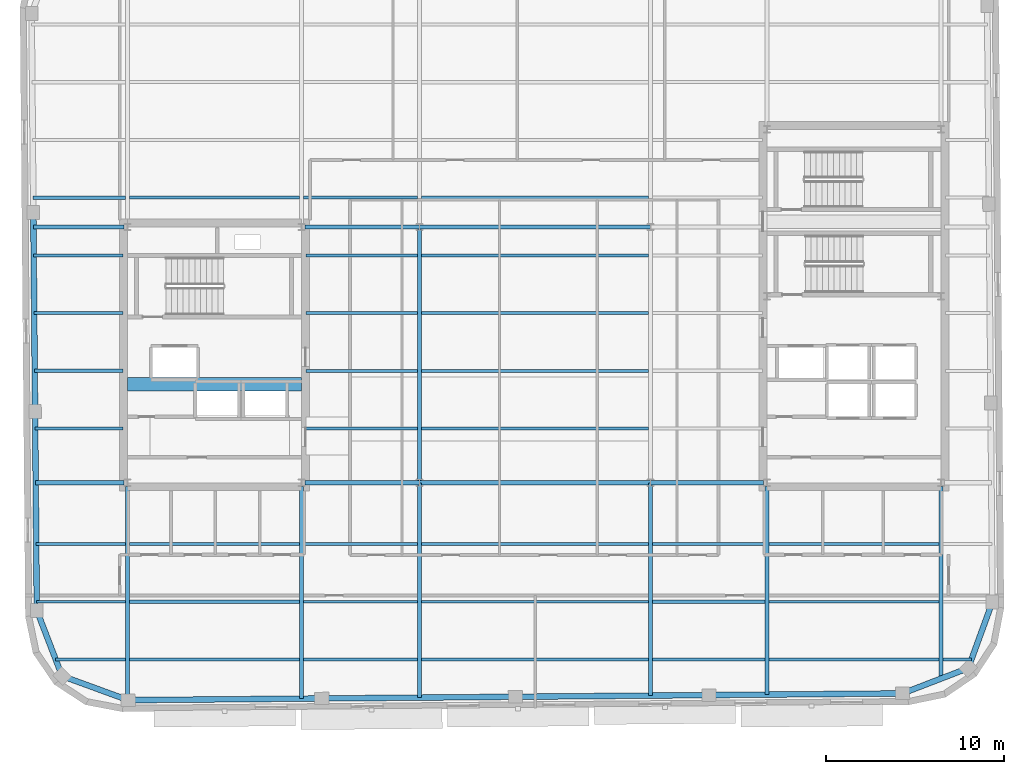
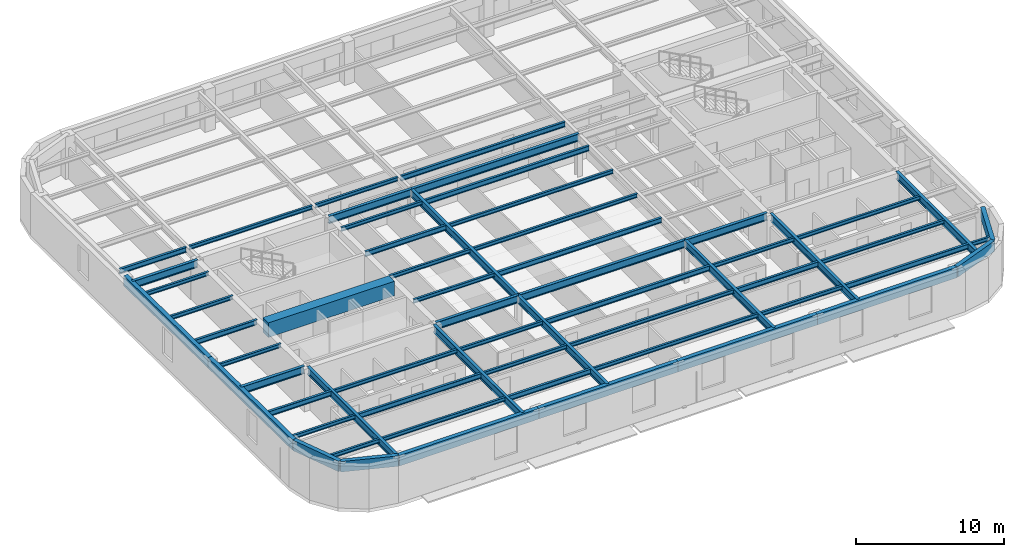
# One storey, part 4 of 14: 60 beams.
"""IFC4 building model written with IfcOpenShell, lengths in metres."""

import ifcopenshell
import ifcopenshell.guid

model = None  # the IFC model being written
_history = None  # IfcOwnerHistory: only IFC2X3 demands one
_inside = {}  # id of a spatial element -> (the spatial element, [elements in it])
_under = {}  # id of a project, library or spatial element -> (it, [spatial elements below it])
_declared = {}  # id of a project -> (the project, [libraries it declares])
_typed = {}  # id of a type object -> (the type object, [elements of that type])
_made_of = {}  # id of a material, layer set ... -> (it, [elements and type objects made of it])


def new_model(schema):
    """Start an empty IFC model of exactly this schema.

    Asked for "IFC4X3", IfcOpenShell would pick the latest addendum, in which some entities
    have other attributes; the version numbers below select the first issue.
    IFC2X3 requires an IfcOwnerHistory on every rooted entity: one is made here for all.
    """
    global model, _history
    if schema == "IFC4X3":
        model = ifcopenshell.file(schema_version=(4, 3, 0, 0))
    else:
        model = ifcopenshell.file(schema=schema)
    _inside.clear()
    _under.clear()
    _declared.clear()
    _typed.clear()
    _made_of.clear()
    _history = None
    if model.schema == "IFC2X3":
        org = make("IfcOrganization", Name="unknown")
        user = make(
            "IfcPersonAndOrganization",
            ThePerson=make("IfcPerson", FamilyName="unknown"),
            TheOrganization=org,
        )
        app = make(
            "IfcApplication",
            ApplicationDeveloper=org,
            Version="unknown",
            ApplicationFullName="unknown",
            ApplicationIdentifier="unknown",
        )
        _history = make(
            "IfcOwnerHistory",
            OwningUser=user,
            OwningApplication=app,
            ChangeAction="ADDED",
            CreationDate=0,
        )
    return model


def make(cls, **values):
    """One entity of the class cls with the attributes given. An attribute that is None is left unset."""
    return model.create_entity(
        cls, **{name: value for name, value in values.items() if value is not None}
    )


def rooted(cls, **values):
    """An entity with a GlobalId (a new one), such as an element, a storey or a relation."""
    return make(cls, GlobalId=ifcopenshell.guid.new(), OwnerHistory=_history, **values)


def si_unit(unit_type, name, prefix=None):
    """IfcSIUnit, for example si_unit("LENGTHUNIT", "METRE", prefix="MILLI")."""
    return make("IfcSIUnit", UnitType=unit_type, Prefix=prefix, Name=name)


def assignment(units):
    """IfcUnitAssignment: the units of a project."""
    return None if units is None else make("IfcUnitAssignment", Units=units)


def point(xyz):
    """IfcCartesianPoint."""
    return None if xyz is None else make("IfcCartesianPoint", Coordinates=xyz)


def direction(xyz):
    """IfcDirection."""
    return None if xyz is None else make("IfcDirection", DirectionRatios=xyz)


def frame(location, z_axis=None, x_axis=None):
    """IfcAxis2Placement3D, a coordinate frame: its origin and axes. An axis left out is left unset."""
    return make(
        "IfcAxis2Placement3D",
        Location=point(location),
        Axis=direction(z_axis),
        RefDirection=direction(x_axis),
    )


def frame_2d(location, x_axis=None):
    """IfcAxis2Placement2D, a coordinate frame in the plane: its origin and x axis."""
    return make(
        "IfcAxis2Placement2D", Location=point(location), RefDirection=direction(x_axis)
    )


def origin():
    """The frame at (0, 0, 0) with its axes left unset."""
    return frame((0.0, 0.0, 0.0))


def origin_2d():
    """The frame at (0, 0) in the plane with its x axis left unset."""
    return frame_2d((0.0, 0.0))


def place(relative_to, where):
    """IfcLocalPlacement: puts the frame where relative to a parent placement (None: the world)."""
    return make(
        "IfcLocalPlacement", PlacementRelTo=relative_to, RelativePlacement=where
    )


def context(
    kind, dimensions, precision=None, world=None, true_north=None, identifier=None
):
    """IfcGeometricRepresentationContext, for example the 3D "Model" context."""
    return make(
        "IfcGeometricRepresentationContext",
        ContextIdentifier=identifier,
        ContextType=kind,
        CoordinateSpaceDimension=dimensions,
        Precision=precision,
        WorldCoordinateSystem=world,
        TrueNorth=true_north,
    )


def subcontext(parent, identifier, kind, view, scale=None):
    """IfcGeometricRepresentationSubContext, for example "Body" below "Model"."""
    return make(
        "IfcGeometricRepresentationSubContext",
        ContextIdentifier=identifier,
        ContextType=kind,
        ParentContext=parent,
        TargetScale=scale,
        TargetView=view,
    )


def project(units=None, contexts=None):
    """IfcProject with its units and contexts."""
    return rooted(
        "IfcProject",
        Name="project",
        RepresentationContexts=contexts,
        UnitsInContext=assignment(units),
    )


def spatial(cls, under=None, at=None, **own):
    """A site, building, storey or space (cls), placed at a placement, below another one or the project."""
    s = rooted(cls, ObjectPlacement=at, **own)
    if under is not None:
        _under.setdefault(under.id(), (under, []))[1].append(s)
    return s


def profile(cls, at=None, kind="AREA", **sizes):
    """A parametric profile (cls). Its sizes go by their IFC names, for example OverallWidth=200.0."""
    return make(cls, ProfileType=kind, Position=at, **sizes)


def rectangle(**sizes):
    """IfcRectangleProfileDef."""
    return profile("IfcRectangleProfileDef", **sizes)


def hollow_rectangle(**sizes):
    """IfcRectangleHollowProfileDef."""
    return profile("IfcRectangleHollowProfileDef", **sizes)


def i_section(**sizes):
    """IfcIShapeProfileDef."""
    return profile("IfcIShapeProfileDef", **sizes)


def extrude(swept, where, along, depth):
    """IfcExtrudedAreaSolid: the profile swept, set in the frame where, extruded along a direction by depth."""
    return make(
        "IfcExtrudedAreaSolid",
        SweptArea=swept,
        Position=where,
        ExtrudedDirection=direction(along),
        Depth=depth,
    )


def shape(context_of_items, identifier, shape_type, items):
    """IfcShapeRepresentation: the items that make up one representation, for example the "Body"."""
    return make(
        "IfcShapeRepresentation",
        ContextOfItems=context_of_items,
        RepresentationIdentifier=identifier,
        RepresentationType=shape_type,
        Items=items,
    )


def material(Name=None, Category=None):
    """IfcMaterial."""
    return make("IfcMaterial", Name=Name, Category=Category)


def material_profile(
    of_material, cross_section, Name=None, Category=None, Priority=None
):
    """IfcMaterialProfile: a cross section and its material."""
    return make(
        "IfcMaterialProfile",
        Name=Name,
        Material=of_material,
        Profile=cross_section,
        Priority=Priority,
        Category=Category,
    )


def profile_set(profiles, Name=None, composite=None):
    """IfcMaterialProfileSet."""
    return make(
        "IfcMaterialProfileSet",
        Name=Name,
        MaterialProfiles=profiles,
        CompositeProfile=composite,
    )


def made_of(thing, what):
    """Note that an element or type object is made of a material, layer set ...; save() writes the relation."""
    if what is not None:
        _made_of.setdefault(what.id(), (what, []))[1].append(thing)
    return thing


def type_object(cls, material=None, **own):
    """A type object (cls), such as IfcWallType, which elements share."""
    return made_of(rooted(cls, **own), material)


def element(
    cls,
    number,
    at=None,
    inside=None,
    cuts=None,
    type_object=None,
    material=None,
    context=None,
    identifier="Body",
    shape_type=None,
    held_by="IfcProductDefinitionShape",
    body=None,
    shapes=None,
    **own,
):
    """One element of the class cls, such as IfcWall. Its Tag is "e" and its number.

    at: its placement. inside: the storey or other place that contains it. cuts: it is an
    opening in that element (IfcRelVoidsElement). A single representation is given by context,
    identifier, shape_type and body (its items); several are given by shapes. held_by: the class
    of the entity that holds the representations. save() writes the other relations.
    """
    e = rooted(cls, Tag="e%d" % number, ObjectPlacement=at, **own)
    if body is not None:
        shapes = [shape(context, identifier, shape_type, body)]
    if shapes is not None:
        e.Representation = make(held_by, Representations=shapes)
    if inside is not None:
        _inside.setdefault(inside.id(), (inside, []))[1].append(e)
    if cuts is not None:
        rooted(
            "IfcRelVoidsElement", RelatingBuildingElement=cuts, RelatedOpeningElement=e
        )
    if type_object is not None:
        _typed.setdefault(type_object.id(), (type_object, []))[1].append(e)
    return made_of(e, material)


def aggregate(whole, parts):
    """IfcRelAggregates: a whole, such as a stair, and the parts it consists of."""
    return rooted("IfcRelAggregates", RelatingObject=whole, RelatedObjects=parts)


def save(model, path):
    """Write the relations noted so far, then the file.

    IfcRelAggregates (storeys below a building ...), IfcRelContainedInSpatialStructure (elements
    in a storey), IfcRelDefinesByType, IfcRelAssociatesMaterial and IfcRelDeclares: one each for
    every whole, place, type object, material and project.
    """
    for whole, parts in _under.values():
        aggregate(whole, parts)
    for where, things in _inside.values():
        rooted(
            "IfcRelContainedInSpatialStructure",
            RelatedElements=things,
            RelatingStructure=where,
        )
    for kind, things in _typed.values():
        rooted("IfcRelDefinesByType", RelatedObjects=things, RelatingType=kind)
    for what, things in _made_of.values():
        rooted("IfcRelAssociatesMaterial", RelatedObjects=things, RelatingMaterial=what)
    for by, libraries in _declared.values():
        rooted("IfcRelDeclares", RelatingContext=by, RelatedDefinitions=libraries)
    model.write(path)


model = new_model("IFC4")

# Units and contexts
model_context = context("Model", 3, precision=1e-05, world=origin(), true_north=direction((0.0, 1.0)))
body_context = subcontext(model_context, "Body", "Model", "MODEL_VIEW")
ifc_project = project(units=[si_unit("LENGTHUNIT", "METRE"), si_unit("AREAUNIT", "SQUARE_METRE"), si_unit("VOLUMEUNIT", "CUBIC_METRE"), si_unit("PLANEANGLEUNIT", "RADIAN"), si_unit("MASSUNIT", "GRAM", prefix="KILO")], contexts=[model_context])

# Site, building, storey
site_placement = place(None, origin())
site = spatial("IfcSite", under=ifc_project, at=site_placement, CompositionType="ELEMENT")
building_placement = place(site_placement, origin())
building = spatial("IfcBuilding", under=site, at=building_placement, Name="Kolvaren Arena Tower", CompositionType="ELEMENT")
storey_placement = place(building_placement, frame((0.0, 0.0, 297.39990234375)))
storey = spatial("IfcBuildingStorey", under=building, at=storey_placement, Name="L73", CompositionType="ELEMENT", Elevation=297.39990234375)

# Beams
ifc_material_1 = material(Name="Steel CSA G40.21 350W", Category="steel")
ifc_material_profile_1 = material_profile(ifc_material_1, i_section(OverallWidth=0.180908203125, OverallDepth=0.4169921875, WebThickness=0.010986328125, FlangeThickness=0.018310546875, FilletRadius=0.011962890625, at=origin_2d()), Name="W410x85")
ifc_profile_set_1 = profile_set([ifc_material_profile_1], Name="Steel CSA G40.21 350W")
beam_type_1 = type_object("IfcBeamType", Name="BEAM-F3", PredefinedType="BEAM", material=ifc_profile_set_1)
beam_1_placement = place(storey_placement, frame((24.464111328125, 9.5, 3.271484375), z_axis=(1.0, 0.0, 0.0), x_axis=(0.0, 1.0, 0.0)))
element("IfcBeam", 1, at=beam_1_placement, inside=storey, type_object=beam_type_1, Name="Composite Floor Beam (L73)", PredefinedType="BEAM", context=body_context, shape_type="SweptSolid", body=[
    extrude(i_section(OverallWidth=0.180908203125, OverallDepth=0.4169921875, WebThickness=0.010986328125, FlangeThickness=0.018310546875, FilletRadius=0.011962890625, at=origin_2d()), origin(), (0.0, 0.0, 1.0), 6.421875),
])
for number, where, z_axis, x_axis, name in (
    (2, (50.6640625, 9.5, 3.271484375), (1.0, 0.0, 0.0), (0.0, 1.0, 0.0), "Composite Floor Beam (L73)"),
    (3, (14.6640625, 12.75, 3.271484375), (1.0, 0.0, 0.0), (0.0, 1.0, 0.0), "Composite Floor Beam (L73)"),
):
    element("IfcBeam", number, at=place(storey_placement, frame(where, z_axis=z_axis, x_axis=x_axis)), inside=storey, type_object=beam_type_1, Name=name, PredefinedType="BEAM", context=body_context, shape_type="SweptSolid", body=[
        extrude(i_section(OverallWidth=0.180908203125, OverallDepth=0.4169921875, WebThickness=0.010986328125, FlangeThickness=0.018310546875, FilletRadius=0.011962890625, at=origin_2d()), origin(), (0.0, 0.0, 1.0), 9.572021484375),
    ])
beam_2_placement = place(storey_placement, frame((44.114013671875, 12.75, 3.271484375), z_axis=(1.0, 0.0, 0.0), x_axis=(0.0, 1.0, 0.0)))
element("IfcBeam", 4, at=beam_2_placement, inside=storey, type_object=beam_type_1, Name="Composite Floor Beam (L73)", PredefinedType="BEAM", context=body_context, shape_type="SweptSolid", body=[
    extrude(i_section(OverallWidth=0.180908203125, OverallDepth=0.4169921875, WebThickness=0.010986328125, FlangeThickness=0.018310546875, FilletRadius=0.011962890625, at=origin_2d()), origin(), (0.0, 0.0, 1.0), 6.322021484375),
])
beam_3_placement = place(storey_placement, frame((9.4150390625, 16.0, 3.271484375), z_axis=(1.0, 0.0, 0.0), x_axis=(0.0, 1.0, 0.0)))
element("IfcBeam", 5, at=beam_3_placement, inside=storey, type_object=beam_type_1, Name="Composite Floor Beam (L73)", PredefinedType="BEAM", context=body_context, shape_type="SweptSolid", body=[
    extrude(i_section(OverallWidth=0.180908203125, OverallDepth=0.4169921875, WebThickness=0.010986328125, FlangeThickness=0.018310546875, FilletRadius=0.011962890625, at=origin_2d()), origin(), (0.0, 0.0, 1.0), 5.02099609375),
])
for number, where, z_axis, x_axis, name in (
    (6, (31.114013671875, 16.0, 3.271484375), (1.0, 0.0, 0.0), (0.0, 1.0, 0.0), "Composite Floor Beam (L73)"),
    (7, (31.114013671875, 22.5, 3.271484375), (1.0, 0.0, 0.0), (0.0, 1.0, 0.0), "Composite Floor Beam (L73)"),
):
    element("IfcBeam", number, at=place(storey_placement, frame(where, z_axis=z_axis, x_axis=x_axis)), inside=storey, type_object=beam_type_1, Name=name, PredefinedType="BEAM", context=body_context, shape_type="SweptSolid", body=[
        extrude(i_section(OverallWidth=0.180908203125, OverallDepth=0.4169921875, WebThickness=0.010986328125, FlangeThickness=0.018310546875, FilletRadius=0.011962890625, at=origin_2d()), origin(), (0.0, 0.0, 1.0), 12.77197265625),
    ])
beam_4_placement = place(storey_placement, frame((9.330078125, 25.75, 3.271484375), z_axis=(1.0, 0.0, 0.0), x_axis=(0.0, 1.0, 0.0)))
element("IfcBeam", 8, at=beam_4_placement, inside=storey, type_object=beam_type_1, Name="Composite Floor Beam (L73)", PredefinedType="BEAM", context=body_context, shape_type="SweptSolid", body=[
    extrude(i_section(OverallWidth=0.180908203125, OverallDepth=0.4169921875, WebThickness=0.010986328125, FlangeThickness=0.018310546875, FilletRadius=0.011962890625, at=origin_2d()), origin(), (0.0, 0.0, 1.0), 4.974853515625),
])
beam_5_placement = place(storey_placement, frame((24.594970703125, 29.0, 3.271484375), z_axis=(1.0, 0.0, 0.0), x_axis=(0.0, 1.0, 0.0)))
element("IfcBeam", 9, at=beam_5_placement, inside=storey, type_object=beam_type_1, Name="Composite Floor Beam (L73)", PredefinedType="BEAM", context=body_context, shape_type="SweptSolid", body=[
    extrude(i_section(OverallWidth=0.180908203125, OverallDepth=0.4169921875, WebThickness=0.010986328125, FlangeThickness=0.018310546875, FilletRadius=0.011962890625, at=origin_2d()), origin(), (0.0, 0.0, 1.0), 6.291015625),
])
beam_6_placement = place(storey_placement, frame((31.114013671875, 32.25, 3.271484375), z_axis=(1.0, 0.0, 0.0), x_axis=(0.0, 1.0, 0.0)))
element("IfcBeam", 10, at=beam_6_placement, inside=storey, type_object=beam_type_1, Name="Composite Floor Beam (L73)", PredefinedType="BEAM", context=body_context, shape_type="SweptSolid", body=[
    extrude(i_section(OverallWidth=0.180908203125, OverallDepth=0.4169921875, WebThickness=0.010986328125, FlangeThickness=0.018310546875, FilletRadius=0.011962890625, at=origin_2d()), origin(), (0.0, 0.0, 1.0), 12.77197265625),
])
beam_7_placement = place(storey_placement, frame((9.244873046875, 35.5, 3.271484375), z_axis=(1.0, 0.0, 0.0), x_axis=(0.0, 1.0, 0.0)))
element("IfcBeam", 11, at=beam_7_placement, inside=storey, type_object=beam_type_1, Name="Composite Floor Beam (L73)", PredefinedType="BEAM", context=body_context, shape_type="SweptSolid", body=[
    extrude(i_section(OverallWidth=0.180908203125, OverallDepth=0.4169921875, WebThickness=0.010986328125, FlangeThickness=0.018310546875, FilletRadius=0.011962890625, at=origin_2d()), origin(), (0.0, 0.0, 1.0), 5.191162109375),
])
beam_8_placement = place(storey_placement, frame((31.114013671875, 35.5, 3.271484375), z_axis=(1.0, 0.0, 0.0), x_axis=(0.0, 1.0, 0.0)))
element("IfcBeam", 12, at=beam_8_placement, inside=storey, type_object=beam_type_1, Name="Composite Floor Beam (L73)", PredefinedType="BEAM", context=body_context, shape_type="SweptSolid", body=[
    extrude(i_section(OverallWidth=0.180908203125, OverallDepth=0.4169921875, WebThickness=0.010986328125, FlangeThickness=0.018310546875, FilletRadius=0.011962890625, at=origin_2d()), origin(), (0.0, 0.0, 1.0), 12.77197265625),
])
ifc_material_2 = material(Name="Concrete 60 MPa", Category="concrete")
ifc_material_profile_2 = material_profile(ifc_material_2, rectangle(XDim=0.75, YDim=1.199951171875, at=origin_2d()), Name="RC-750x1200")
ifc_profile_set_2 = profile_set([ifc_material_profile_2], Name="Concrete 60 MPa")
beam_type_2 = type_object("IfcBeamType", Name="CB-CORE-2", PredefinedType="BEAM", material=ifc_profile_set_2)
beam_9_placement = place(storey_placement, frame((14.550048828125, 25.0, 3.150146484375), z_axis=(1.0, 0.0, 0.0), x_axis=(0.0, 1.0, 0.0)))
element("IfcBeam", 13, at=beam_9_placement, inside=storey, type_object=beam_type_2, Name="West Core Coupling Beam (L73)", PredefinedType="BEAM", context=body_context, shape_type="SweptSolid", body=[
    extrude(rectangle(XDim=0.75, YDim=1.199951171875, at=origin_2d()), origin(), (0.0, 0.0, 1.0), 9.800048828125),
])
ifc_material_profile_3 = material_profile(ifc_material_1, i_section(OverallWidth=0.22802734375, OverallDepth=0.615966796875, WebThickness=0.013916015625, FlangeThickness=0.02490234375, FilletRadius=0.014892578125, at=origin_2d()), Name="W610x174")
ifc_profile_set_3 = profile_set([ifc_material_profile_3], Name="Steel CSA G40.21 350W")
beam_type_3 = type_object("IfcBeamType", Name="GIRD-T3", PredefinedType="BEAM", material=ifc_profile_set_3)
beam_10_placement = place(storey_placement, frame((9.385009765625, 19.449951171875, 3.172119140625), z_axis=(1.0, 0.0, 0.0), x_axis=(0.0, 1.0, 0.0)))
element("IfcBeam", 14, at=beam_10_placement, inside=storey, type_object=beam_type_3, Name="Primary Floor Girder (L73)", PredefinedType="BEAM", context=body_context, shape_type="SweptSolid", body=[
    extrude(i_section(OverallWidth=0.22802734375, OverallDepth=0.615966796875, WebThickness=0.013916015625, FlangeThickness=0.02490234375, FilletRadius=0.014892578125, at=origin_2d()), origin(), (0.0, 0.0, 1.0), 4.9599609375),
])
beam_11_placement = place(storey_placement, frame((24.554931640625, 19.449951171875, 3.172119140625), z_axis=(1.0, 0.0, 0.0), x_axis=(0.0, 1.0, 0.0)))
element("IfcBeam", 15, at=beam_11_placement, inside=storey, type_object=beam_type_3, Name="Primary Floor Girder (L73)", PredefinedType="BEAM", context=body_context, shape_type="SweptSolid", body=[
    extrude(i_section(OverallWidth=0.22802734375, OverallDepth=0.615966796875, WebThickness=0.013916015625, FlangeThickness=0.02490234375, FilletRadius=0.014892578125, at=origin_2d()), origin(), (0.0, 0.0, 1.0), 6.445068359375),
])
beam_12_placement = place(storey_placement, frame((31.0, 19.449951171875, 3.172119140625), z_axis=(1.0, 0.0, 0.0), x_axis=(0.0, 1.0, 0.0)))
element("IfcBeam", 16, at=beam_12_placement, inside=storey, type_object=beam_type_3, Name="Primary Floor Girder (L73)", PredefinedType="BEAM", context=body_context, shape_type="SweptSolid", body=[
    extrude(i_section(OverallWidth=0.22802734375, OverallDepth=0.615966796875, WebThickness=0.013916015625, FlangeThickness=0.02490234375, FilletRadius=0.014892578125, at=origin_2d()), origin(), (0.0, 0.0, 1.0), 13.0),
])
beam_13_placement = place(storey_placement, frame((44.0, 19.449951171875, 3.172119140625), z_axis=(1.0, 0.0, 0.0), x_axis=(0.0, 1.0, 0.0)))
element("IfcBeam", 17, at=beam_13_placement, inside=storey, type_object=beam_type_3, Name="Primary Floor Girder (L73)", PredefinedType="BEAM", context=body_context, shape_type="SweptSolid", body=[
    extrude(i_section(OverallWidth=0.22802734375, OverallDepth=0.615966796875, WebThickness=0.013916015625, FlangeThickness=0.02490234375, FilletRadius=0.014892578125, at=origin_2d()), origin(), (0.0, 0.0, 1.0), 6.344970703125),
])
beam_14_placement = place(storey_placement, frame((9.25927734375, 33.85009765625, 3.172119140625), z_axis=(1.0, 0.0, 0.0), x_axis=(0.0, 1.0, 0.0)))
element("IfcBeam", 18, at=beam_14_placement, inside=storey, type_object=beam_type_3, Name="Primary Floor Girder (L73)", PredefinedType="BEAM", context=body_context, shape_type="SweptSolid", body=[
    extrude(i_section(OverallWidth=0.22802734375, OverallDepth=0.615966796875, WebThickness=0.013916015625, FlangeThickness=0.02490234375, FilletRadius=0.014892578125, at=origin_2d()), origin(), (0.0, 0.0, 1.0), 5.085693359375),
])
beam_15_placement = place(storey_placement, frame((24.554931640625, 33.85009765625, 3.172119140625), z_axis=(1.0, 0.0, 0.0), x_axis=(0.0, 1.0, 0.0)))
element("IfcBeam", 19, at=beam_15_placement, inside=storey, type_object=beam_type_3, Name="Primary Floor Girder (L73)", PredefinedType="BEAM", context=body_context, shape_type="SweptSolid", body=[
    extrude(i_section(OverallWidth=0.22802734375, OverallDepth=0.615966796875, WebThickness=0.013916015625, FlangeThickness=0.02490234375, FilletRadius=0.014892578125, at=origin_2d()), origin(), (0.0, 0.0, 1.0), 6.445068359375),
])
beam_16_placement = place(storey_placement, frame((31.0, 33.85009765625, 3.172119140625), z_axis=(1.0, 0.0, 0.0), x_axis=(0.0, 1.0, 0.0)))
element("IfcBeam", 20, at=beam_16_placement, inside=storey, type_object=beam_type_3, Name="Primary Floor Girder (L73)", PredefinedType="BEAM", context=body_context, shape_type="SweptSolid", body=[
    extrude(i_section(OverallWidth=0.22802734375, OverallDepth=0.615966796875, WebThickness=0.013916015625, FlangeThickness=0.02490234375, FilletRadius=0.014892578125, at=origin_2d()), origin(), (0.0, 0.0, 1.0), 13.0),
])
beam_17_placement = place(storey_placement, frame((14.550048828125, 7.225830078125, 3.172119140625), z_axis=(0.0, 1.0, 0.0), x_axis=(-1.0, 0.0, 0.0)))
element("IfcBeam", 21, at=beam_17_placement, inside=storey, type_object=beam_type_3, Name="Primary Floor Girder (L73)", PredefinedType="BEAM", context=body_context, shape_type="SweptSolid", body=[
    extrude(i_section(OverallWidth=0.22802734375, OverallDepth=0.615966796875, WebThickness=0.013916015625, FlangeThickness=0.02490234375, FilletRadius=0.014892578125, at=origin_2d()), origin(), (0.0, 0.0, 1.0), 12.019287109375),
])
beam_18_placement = place(storey_placement, frame((24.35009765625, 7.295654296875, 3.172119140625), z_axis=(0.0, 1.0, 0.0), x_axis=(-1.0, 0.0, 0.0)))
element("IfcBeam", 22, at=beam_18_placement, inside=storey, type_object=beam_type_3, Name="Primary Floor Girder (L73)", PredefinedType="BEAM", context=body_context, shape_type="SweptSolid", body=[
    extrude(i_section(OverallWidth=0.22802734375, OverallDepth=0.615966796875, WebThickness=0.013916015625, FlangeThickness=0.02490234375, FilletRadius=0.014892578125, at=origin_2d()), origin(), (0.0, 0.0, 1.0), 11.949462890625),
])
beam_19_placement = place(storey_placement, frame((31.0, 7.353759765625, 3.172119140625), z_axis=(0.0, 1.0, 0.0), x_axis=(-1.0, 0.0, 0.0)))
element("IfcBeam", 23, at=beam_19_placement, inside=storey, type_object=beam_type_3, Name="Primary Floor Girder (L73)", PredefinedType="BEAM", context=body_context, shape_type="SweptSolid", body=[
    extrude(i_section(OverallWidth=0.22802734375, OverallDepth=0.615966796875, WebThickness=0.013916015625, FlangeThickness=0.02490234375, FilletRadius=0.014892578125, at=origin_2d()), origin(), (0.0, 0.0, 1.0), 12.09619140625),
])
beam_20_placement = place(storey_placement, frame((31.0, 19.449951171875, 3.172119140625), z_axis=(0.0, 1.0, 0.0), x_axis=(-1.0, 0.0, 0.0)))
element("IfcBeam", 24, at=beam_20_placement, inside=storey, type_object=beam_type_3, Name="Primary Floor Girder (L73)", PredefinedType="BEAM", context=body_context, shape_type="SweptSolid", body=[
    extrude(i_section(OverallWidth=0.22802734375, OverallDepth=0.615966796875, WebThickness=0.013916015625, FlangeThickness=0.02490234375, FilletRadius=0.014892578125, at=origin_2d()), origin(), (0.0, 0.0, 1.0), 14.400146484375),
])
beam_21_placement = place(storey_placement, frame((44.0, 7.46728515625, 3.172119140625), z_axis=(0.0, 1.0, 0.0), x_axis=(-1.0, 0.0, 0.0)))
element("IfcBeam", 25, at=beam_21_placement, inside=storey, type_object=beam_type_3, Name="Primary Floor Girder (L73)", PredefinedType="BEAM", context=body_context, shape_type="SweptSolid", body=[
    extrude(i_section(OverallWidth=0.22802734375, OverallDepth=0.615966796875, WebThickness=0.013916015625, FlangeThickness=0.02490234375, FilletRadius=0.014892578125, at=origin_2d()), origin(), (0.0, 0.0, 1.0), 11.982666015625),
])
beam_22_placement = place(storey_placement, frame((50.550048828125, 7.5244140625, 3.172119140625), z_axis=(0.0, 1.0, 0.0), x_axis=(-1.0, 0.0, 0.0)))
element("IfcBeam", 26, at=beam_22_placement, inside=storey, type_object=beam_type_3, Name="Primary Floor Girder (L73)", PredefinedType="BEAM", context=body_context, shape_type="SweptSolid", body=[
    extrude(i_section(OverallWidth=0.22802734375, OverallDepth=0.615966796875, WebThickness=0.013916015625, FlangeThickness=0.02490234375, FilletRadius=0.014892578125, at=origin_2d()), origin(), (0.0, 0.0, 1.0), 11.720703125),
])
beam_23_placement = place(storey_placement, frame((60.35009765625, 8.4228515625, 3.172119140625), z_axis=(0.0, 1.0, 0.0), x_axis=(-1.0, 0.0, 0.0)))
element("IfcBeam", 27, at=beam_23_placement, inside=storey, type_object=beam_type_3, Name="Primary Floor Girder (L73)", PredefinedType="BEAM", context=body_context, shape_type="SweptSolid", body=[
    extrude(i_section(OverallWidth=0.22802734375, OverallDepth=0.615966796875, WebThickness=0.013916015625, FlangeThickness=0.02490234375, FilletRadius=0.014892578125, at=origin_2d()), origin(), (0.0, 0.0, 1.0), 10.822265625),
])
ifc_material_profile_4 = material_profile(ifc_material_1, i_section(OverallWidth=0.1669921875, OverallDepth=0.31689453125, WebThickness=0.007568359375, FlangeThickness=0.01318359375, FilletRadius=0.010009765625, at=origin_2d()), Name="W310x52")
ifc_profile_set_4 = profile_set([ifc_material_profile_4], Name="Steel CSA G40.21 350W")
beam_type_4 = type_object("IfcBeamType", Name="JOIST-02", PredefinedType="JOIST", material=ifc_profile_set_4)
beam_24_placement = place(storey_placement, frame((10.5126953125, 9.5, 3.321533203125), z_axis=(1.0, 0.0, 0.0), x_axis=(0.0, 1.0, 0.0)))
element("IfcBeam", 28, at=beam_24_placement, inside=storey, type_object=beam_type_4, Name="Composite Floor Joist (L73)", PredefinedType="JOIST", context=body_context, shape_type="SweptSolid", body=[
    extrude(i_section(OverallWidth=0.1669921875, OverallDepth=0.31689453125, WebThickness=0.007568359375, FlangeThickness=0.01318359375, FilletRadius=0.010009765625, at=origin_2d()), origin(), (0.0, 0.0, 1.0), 3.92333984375),
])
beam_25_placement = place(storey_placement, frame((14.6640625, 9.5, 3.321533203125), z_axis=(1.0, 0.0, 0.0), x_axis=(0.0, 1.0, 0.0)))
element("IfcBeam", 29, at=beam_25_placement, inside=storey, type_object=beam_type_4, Name="Composite Floor Joist (L73)", PredefinedType="JOIST", context=body_context, shape_type="SweptSolid", body=[
    extrude(i_section(OverallWidth=0.1669921875, OverallDepth=0.31689453125, WebThickness=0.007568359375, FlangeThickness=0.01318359375, FilletRadius=0.010009765625, at=origin_2d()), origin(), (0.0, 0.0, 1.0), 9.572021484375),
])
beam_26_placement = place(storey_placement, frame((31.114013671875, 9.5, 3.321533203125), z_axis=(1.0, 0.0, 0.0), x_axis=(0.0, 1.0, 0.0)))
element("IfcBeam", 30, at=beam_26_placement, inside=storey, type_object=beam_type_4, Name="Composite Floor Joist (L73)", PredefinedType="JOIST", context=body_context, shape_type="SweptSolid", body=[
    extrude(i_section(OverallWidth=0.1669921875, OverallDepth=0.31689453125, WebThickness=0.007568359375, FlangeThickness=0.01318359375, FilletRadius=0.010009765625, at=origin_2d()), origin(), (0.0, 0.0, 1.0), 12.77197265625),
])
beam_27_placement = place(storey_placement, frame((44.114013671875, 9.5, 3.321533203125), z_axis=(1.0, 0.0, 0.0), x_axis=(0.0, 1.0, 0.0)))
element("IfcBeam", 31, at=beam_27_placement, inside=storey, type_object=beam_type_4, Name="Composite Floor Joist (L73)", PredefinedType="JOIST", context=body_context, shape_type="SweptSolid", body=[
    extrude(i_section(OverallWidth=0.1669921875, OverallDepth=0.31689453125, WebThickness=0.007568359375, FlangeThickness=0.01318359375, FilletRadius=0.010009765625, at=origin_2d()), origin(), (0.0, 0.0, 1.0), 6.322021484375),
])
beam_28_placement = place(storey_placement, frame((60.464111328125, 9.5, 3.321533203125), z_axis=(1.0, 0.0, 0.0), x_axis=(0.0, 1.0, 0.0)))
element("IfcBeam", 32, at=beam_28_placement, inside=storey, type_object=beam_type_4, Name="Composite Floor Joist (L73)", PredefinedType="JOIST", context=body_context, shape_type="SweptSolid", body=[
    extrude(i_section(OverallWidth=0.1669921875, OverallDepth=0.31689453125, WebThickness=0.007568359375, FlangeThickness=0.01318359375, FilletRadius=0.010009765625, at=origin_2d()), origin(), (0.0, 0.0, 1.0), 1.60009765625),
])
beam_29_placement = place(storey_placement, frame((9.443359375, 12.75, 3.321533203125), z_axis=(1.0, 0.0, 0.0), x_axis=(0.0, 1.0, 0.0)))
element("IfcBeam", 33, at=beam_29_placement, inside=storey, type_object=beam_type_4, Name="Composite Floor Joist (L73)", PredefinedType="JOIST", context=body_context, shape_type="SweptSolid", body=[
    extrude(i_section(OverallWidth=0.1669921875, OverallDepth=0.31689453125, WebThickness=0.007568359375, FlangeThickness=0.01318359375, FilletRadius=0.010009765625, at=origin_2d()), origin(), (0.0, 0.0, 1.0), 4.99267578125),
])
beam_30_placement = place(storey_placement, frame((24.464111328125, 12.75, 3.321533203125), z_axis=(1.0, 0.0, 0.0), x_axis=(0.0, 1.0, 0.0)))
element("IfcBeam", 34, at=beam_30_placement, inside=storey, type_object=beam_type_4, Name="Composite Floor Joist (L73)", PredefinedType="JOIST", context=body_context, shape_type="SweptSolid", body=[
    extrude(i_section(OverallWidth=0.1669921875, OverallDepth=0.31689453125, WebThickness=0.007568359375, FlangeThickness=0.01318359375, FilletRadius=0.010009765625, at=origin_2d()), origin(), (0.0, 0.0, 1.0), 6.421875),
])
beam_31_placement = place(storey_placement, frame((31.114013671875, 12.75, 3.321533203125), z_axis=(1.0, 0.0, 0.0), x_axis=(0.0, 1.0, 0.0)))
element("IfcBeam", 35, at=beam_31_placement, inside=storey, type_object=beam_type_4, Name="Composite Floor Joist (L73)", PredefinedType="JOIST", context=body_context, shape_type="SweptSolid", body=[
    extrude(i_section(OverallWidth=0.1669921875, OverallDepth=0.31689453125, WebThickness=0.007568359375, FlangeThickness=0.01318359375, FilletRadius=0.010009765625, at=origin_2d()), origin(), (0.0, 0.0, 1.0), 12.77197265625),
])
for number, where, z_axis, x_axis, name in (
    (36, (50.6640625, 12.75, 3.321533203125), (1.0, 0.0, 0.0), (0.0, 1.0, 0.0), "Composite Floor Joist (L73)"),
    (37, (14.6640625, 16.0, 3.321533203125), (1.0, 0.0, 0.0), (0.0, 1.0, 0.0), "Composite Floor Joist (L73)"),
):
    element("IfcBeam", number, at=place(storey_placement, frame(where, z_axis=z_axis, x_axis=x_axis)), inside=storey, type_object=beam_type_4, Name=name, PredefinedType="JOIST", context=body_context, shape_type="SweptSolid", body=[
        extrude(i_section(OverallWidth=0.1669921875, OverallDepth=0.31689453125, WebThickness=0.007568359375, FlangeThickness=0.01318359375, FilletRadius=0.010009765625, at=origin_2d()), origin(), (0.0, 0.0, 1.0), 9.572021484375),
    ])
beam_32_placement = place(storey_placement, frame((24.464111328125, 16.0, 3.321533203125), z_axis=(1.0, 0.0, 0.0), x_axis=(0.0, 1.0, 0.0)))
element("IfcBeam", 38, at=beam_32_placement, inside=storey, type_object=beam_type_4, Name="Composite Floor Joist (L73)", PredefinedType="JOIST", context=body_context, shape_type="SweptSolid", body=[
    extrude(i_section(OverallWidth=0.1669921875, OverallDepth=0.31689453125, WebThickness=0.007568359375, FlangeThickness=0.01318359375, FilletRadius=0.010009765625, at=origin_2d()), origin(), (0.0, 0.0, 1.0), 6.421875),
])
beam_33_placement = place(storey_placement, frame((44.114013671875, 16.0, 3.321533203125), z_axis=(1.0, 0.0, 0.0), x_axis=(0.0, 1.0, 0.0)))
element("IfcBeam", 39, at=beam_33_placement, inside=storey, type_object=beam_type_4, Name="Composite Floor Joist (L73)", PredefinedType="JOIST", context=body_context, shape_type="SweptSolid", body=[
    extrude(i_section(OverallWidth=0.1669921875, OverallDepth=0.31689453125, WebThickness=0.007568359375, FlangeThickness=0.01318359375, FilletRadius=0.010009765625, at=origin_2d()), origin(), (0.0, 0.0, 1.0), 6.322021484375),
])
beam_34_placement = place(storey_placement, frame((50.6640625, 16.0, 3.321533203125), z_axis=(1.0, 0.0, 0.0), x_axis=(0.0, 1.0, 0.0)))
element("IfcBeam", 40, at=beam_34_placement, inside=storey, type_object=beam_type_4, Name="Composite Floor Joist (L73)", PredefinedType="JOIST", context=body_context, shape_type="SweptSolid", body=[
    extrude(i_section(OverallWidth=0.1669921875, OverallDepth=0.31689453125, WebThickness=0.007568359375, FlangeThickness=0.01318359375, FilletRadius=0.010009765625, at=origin_2d()), origin(), (0.0, 0.0, 1.0), 9.572021484375),
])
beam_35_placement = place(storey_placement, frame((9.3583984375, 22.5, 3.321533203125), z_axis=(1.0, 0.0, 0.0), x_axis=(0.0, 1.0, 0.0)))
element("IfcBeam", 41, at=beam_35_placement, inside=storey, type_object=beam_type_4, Name="Composite Floor Joist (L73)", PredefinedType="JOIST", context=body_context, shape_type="SweptSolid", body=[
    extrude(i_section(OverallWidth=0.1669921875, OverallDepth=0.31689453125, WebThickness=0.007568359375, FlangeThickness=0.01318359375, FilletRadius=0.010009765625, at=origin_2d()), origin(), (0.0, 0.0, 1.0), 4.946533203125),
])
for number, where, z_axis, x_axis, name in (
    (42, (24.594970703125, 22.5, 3.321533203125), (1.0, 0.0, 0.0), (0.0, 1.0, 0.0), "Composite Floor Joist (L73)"),
    (43, (24.594970703125, 25.75, 3.321533203125), (1.0, 0.0, 0.0), (0.0, 1.0, 0.0), "Composite Floor Joist (L73)"),
):
    element("IfcBeam", number, at=place(storey_placement, frame(where, z_axis=z_axis, x_axis=x_axis)), inside=storey, type_object=beam_type_4, Name=name, PredefinedType="JOIST", context=body_context, shape_type="SweptSolid", body=[
        extrude(i_section(OverallWidth=0.1669921875, OverallDepth=0.31689453125, WebThickness=0.007568359375, FlangeThickness=0.01318359375, FilletRadius=0.010009765625, at=origin_2d()), origin(), (0.0, 0.0, 1.0), 6.291015625),
    ])
beam_36_placement = place(storey_placement, frame((31.114013671875, 25.75, 3.321533203125), z_axis=(1.0, 0.0, 0.0), x_axis=(0.0, 1.0, 0.0)))
element("IfcBeam", 44, at=beam_36_placement, inside=storey, type_object=beam_type_4, Name="Composite Floor Joist (L73)", PredefinedType="JOIST", context=body_context, shape_type="SweptSolid", body=[
    extrude(i_section(OverallWidth=0.1669921875, OverallDepth=0.31689453125, WebThickness=0.007568359375, FlangeThickness=0.01318359375, FilletRadius=0.010009765625, at=origin_2d()), origin(), (0.0, 0.0, 1.0), 12.77197265625),
])
beam_37_placement = place(storey_placement, frame((9.301513671875, 29.0, 3.321533203125), z_axis=(1.0, 0.0, 0.0), x_axis=(0.0, 1.0, 0.0)))
element("IfcBeam", 45, at=beam_37_placement, inside=storey, type_object=beam_type_4, Name="Composite Floor Joist (L73)", PredefinedType="JOIST", context=body_context, shape_type="SweptSolid", body=[
    extrude(i_section(OverallWidth=0.1669921875, OverallDepth=0.31689453125, WebThickness=0.007568359375, FlangeThickness=0.01318359375, FilletRadius=0.010009765625, at=origin_2d()), origin(), (0.0, 0.0, 1.0), 5.00341796875),
])
beam_38_placement = place(storey_placement, frame((31.114013671875, 29.0, 3.321533203125), z_axis=(1.0, 0.0, 0.0), x_axis=(0.0, 1.0, 0.0)))
element("IfcBeam", 46, at=beam_38_placement, inside=storey, type_object=beam_type_4, Name="Composite Floor Joist (L73)", PredefinedType="JOIST", context=body_context, shape_type="SweptSolid", body=[
    extrude(i_section(OverallWidth=0.1669921875, OverallDepth=0.31689453125, WebThickness=0.007568359375, FlangeThickness=0.01318359375, FilletRadius=0.010009765625, at=origin_2d()), origin(), (0.0, 0.0, 1.0), 12.77197265625),
])
beam_39_placement = place(storey_placement, frame((9.273193359375, 32.25, 3.321533203125), z_axis=(1.0, 0.0, 0.0), x_axis=(0.0, 1.0, 0.0)))
element("IfcBeam", 47, at=beam_39_placement, inside=storey, type_object=beam_type_4, Name="Composite Floor Joist (L73)", PredefinedType="JOIST", context=body_context, shape_type="SweptSolid", body=[
    extrude(i_section(OverallWidth=0.1669921875, OverallDepth=0.31689453125, WebThickness=0.007568359375, FlangeThickness=0.01318359375, FilletRadius=0.010009765625, at=origin_2d()), origin(), (0.0, 0.0, 1.0), 5.03173828125),
])
beam_40_placement = place(storey_placement, frame((24.594970703125, 32.25, 3.321533203125), z_axis=(1.0, 0.0, 0.0), x_axis=(0.0, 1.0, 0.0)))
element("IfcBeam", 48, at=beam_40_placement, inside=storey, type_object=beam_type_4, Name="Composite Floor Joist (L73)", PredefinedType="JOIST", context=body_context, shape_type="SweptSolid", body=[
    extrude(i_section(OverallWidth=0.1669921875, OverallDepth=0.31689453125, WebThickness=0.007568359375, FlangeThickness=0.01318359375, FilletRadius=0.010009765625, at=origin_2d()), origin(), (0.0, 0.0, 1.0), 6.291015625),
])
beam_41_placement = place(storey_placement, frame((14.6640625, 35.5, 3.321533203125), z_axis=(1.0, 0.0, 0.0), x_axis=(0.0, 1.0, 0.0)))
element("IfcBeam", 49, at=beam_41_placement, inside=storey, type_object=beam_type_4, Name="Composite Floor Joist (L73)", PredefinedType="JOIST", context=body_context, shape_type="SweptSolid", body=[
    extrude(i_section(OverallWidth=0.1669921875, OverallDepth=0.31689453125, WebThickness=0.007568359375, FlangeThickness=0.01318359375, FilletRadius=0.010009765625, at=origin_2d()), origin(), (0.0, 0.0, 1.0), 9.572021484375),
])
beam_42_placement = place(storey_placement, frame((24.464111328125, 35.5, 3.321533203125), z_axis=(1.0, 0.0, 0.0), x_axis=(0.0, 1.0, 0.0)))
element("IfcBeam", 50, at=beam_42_placement, inside=storey, type_object=beam_type_4, Name="Composite Floor Joist (L73)", PredefinedType="JOIST", context=body_context, shape_type="SweptSolid", body=[
    extrude(i_section(OverallWidth=0.1669921875, OverallDepth=0.31689453125, WebThickness=0.007568359375, FlangeThickness=0.01318359375, FilletRadius=0.010009765625, at=origin_2d()), origin(), (0.0, 0.0, 1.0), 6.421875),
])
ifc_material_3 = material(Name="Steel CSA G40.21 350WT", Category="steel")
ifc_material_profile_5 = material_profile(ifc_material_3, hollow_rectangle(XDim=0.320068359375, YDim=0.860107421875, WallThickness=0.01806640625, at=origin_2d()), Name="HSS 860x320x18")
ifc_profile_set_5 = profile_set([ifc_material_profile_5], Name="Steel CSA G40.21 350WT")
beam_type_5 = type_object("IfcBeamType", Name="SPAND-02", PredefinedType="SPANDREL", material=ifc_profile_set_5)
for number, where, z_axis, x_axis, name in (
    (51, (14.591796875, 7.210693359375, 3.050048828125), (0.999962042393, 0.008712851036, 0.0), (-0.008712851036, 0.999962042393, 0.0), "Perimeter Spandrel Beam (L73)"),
    (52, (25.491455078125, 7.3056640625, 3.050048828125), (0.999961846999, 0.008735247404, 0.0), (-0.008735247404, 0.999961846999, 0.0), "Perimeter Spandrel Beam (L73)"),
    (53, (36.39111328125, 7.40087890625, 3.050048828125), (0.999961846999, 0.008735247404, 0.0), (-0.008735247404, 0.999961846999, 0.0), "Perimeter Spandrel Beam (L73)"),
):
    element("IfcBeam", number, at=place(storey_placement, frame(where, z_axis=z_axis, x_axis=x_axis)), inside=storey, type_object=beam_type_5, Name=name, PredefinedType="SPANDREL", context=body_context, shape_type="SweptSolid", body=[
        extrude(hollow_rectangle(XDim=0.320068359375, YDim=0.860107421875, WallThickness=0.01806640625, at=origin_2d()), origin(), (0.0, 0.0, 1.0), 10.900146484375),
    ])
beam_43_placement = place(storey_placement, frame((47.290771484375, 7.49609375, 3.050048828125), z_axis=(0.999962040693, 0.008713046184, 0.0), x_axis=(-0.008713046184, 0.999962040693, 0.0)))
element("IfcBeam", 54, at=beam_43_placement, inside=storey, type_object=beam_type_5, Name="Perimeter Spandrel Beam (L73)", PredefinedType="SPANDREL", context=body_context, shape_type="SweptSolid", body=[
    extrude(hollow_rectangle(XDim=0.320068359375, YDim=0.860107421875, WallThickness=0.01806640625, at=origin_2d()), origin(), (0.0, 0.0, 1.0), 10.89990234375),
])
for number, where, z_axis, x_axis, name in (
    (55, (58.190185546875, 7.591064453125, 3.050048828125), (0.933189846698, 0.359383792094, 0.0), (-0.359383792094, 0.933189846698, 0.0), "Perimeter Spandrel Beam (L73)"),
    (56, (61.88671875, 9.0146484375, 3.050048828125), (0.343059102458, 0.939313819882, 0.0), (-0.939313819882, 0.343059102458, 0.0), "Perimeter Spandrel Beam (L73)"),
):
    element("IfcBeam", number, at=place(storey_placement, frame(where, z_axis=z_axis, x_axis=x_axis)), inside=storey, type_object=beam_type_5, Name=name, PredefinedType="SPANDREL", context=body_context, shape_type="SweptSolid", body=[
        extrude(hollow_rectangle(XDim=0.320068359375, YDim=0.860107421875, WallThickness=0.01806640625, at=origin_2d()), origin(), (0.0, 0.0, 1.0), 3.961181640625),
    ])
beam_44_placement = place(storey_placement, frame((9.252197265625, 34.6650390625, 3.050048828125), z_axis=(0.008719394723, -0.999961985355, 0.0), x_axis=(0.999961985355, 0.008719394723, 0.0)))
element("IfcBeam", 57, at=beam_44_placement, inside=storey, type_object=beam_type_5, Name="Perimeter Spandrel Beam (L73)", PredefinedType="SPANDREL", context=body_context, shape_type="SweptSolid", body=[
    extrude(hollow_rectangle(XDim=0.320068359375, YDim=0.860107421875, WallThickness=0.01806640625, at=origin_2d()), origin(), (0.0, 0.0, 1.0), 11.199951171875),
])
beam_45_placement = place(storey_placement, frame((9.349853515625, 23.465576171875, 3.050048828125), z_axis=(0.008719204665, -0.999961987013, 0.0), x_axis=(0.999961987013, 0.008719204665, 0.0)))
element("IfcBeam", 58, at=beam_45_placement, inside=storey, type_object=beam_type_5, Name="Perimeter Spandrel Beam (L73)", PredefinedType="SPANDREL", context=body_context, shape_type="SweptSolid", body=[
    extrude(hollow_rectangle(XDim=0.320068359375, YDim=0.860107421875, WallThickness=0.01806640625, at=origin_2d()), origin(), (0.0, 0.0, 1.0), 11.2001953125),
])
beam_46_placement = place(storey_placement, frame((9.447509765625, 12.265869140625, 3.050048828125), z_axis=(0.359383792094, -0.933189846698, 0.0), x_axis=(0.933189846698, 0.359383792094, 0.0)))
element("IfcBeam", 59, at=beam_46_placement, inside=storey, type_object=beam_type_5, Name="Perimeter Spandrel Beam (L73)", PredefinedType="SPANDREL", context=body_context, shape_type="SweptSolid", body=[
    extrude(hollow_rectangle(XDim=0.320068359375, YDim=0.860107421875, WallThickness=0.01806640625, at=origin_2d()), origin(), (0.0, 0.0, 1.0), 3.961181640625),
])
beam_47_placement = place(storey_placement, frame((10.87109375, 8.5693359375, 3.050048828125), z_axis=(0.939333679924, -0.343004719736, 0.0), x_axis=(0.343004719736, 0.939333679924, 0.0)))
element("IfcBeam", 60, at=beam_47_placement, inside=storey, type_object=beam_type_5, Name="Perimeter Spandrel Beam (L73)", PredefinedType="SPANDREL", context=body_context, shape_type="SweptSolid", body=[
    extrude(hollow_rectangle(XDim=0.320068359375, YDim=0.860107421875, WallThickness=0.01806640625, at=origin_2d()), origin(), (0.0, 0.0, 1.0), 3.9609375),
])

save(model, "model.ifc")
